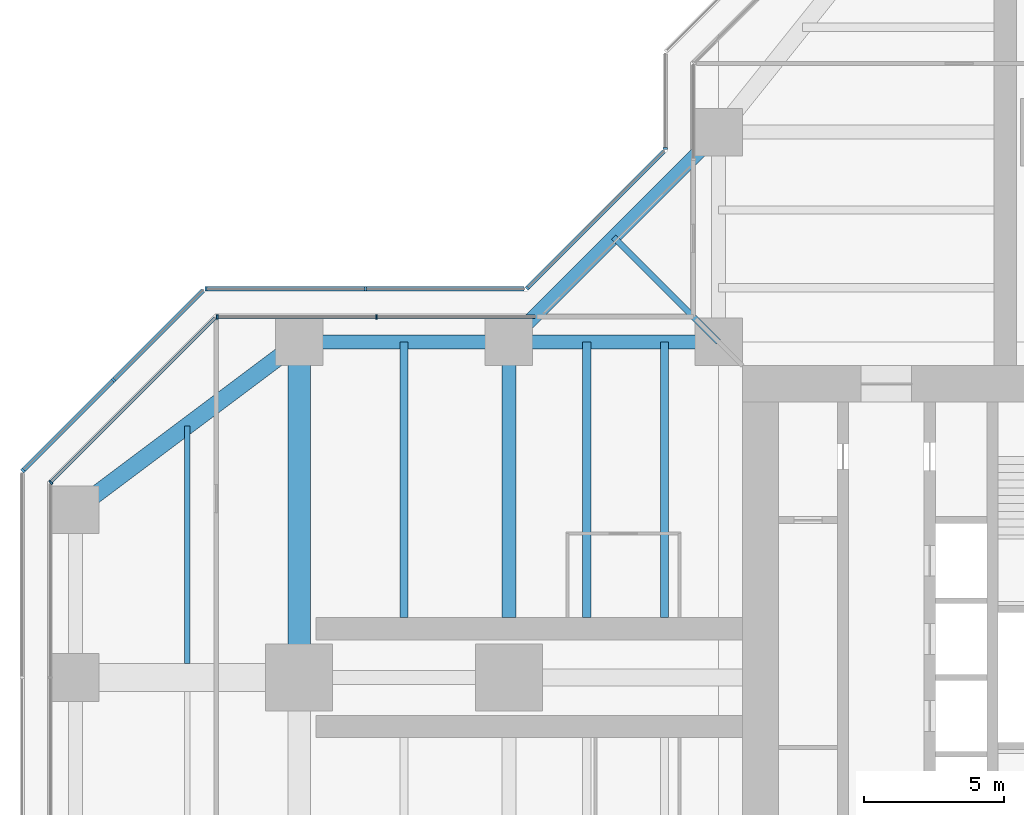
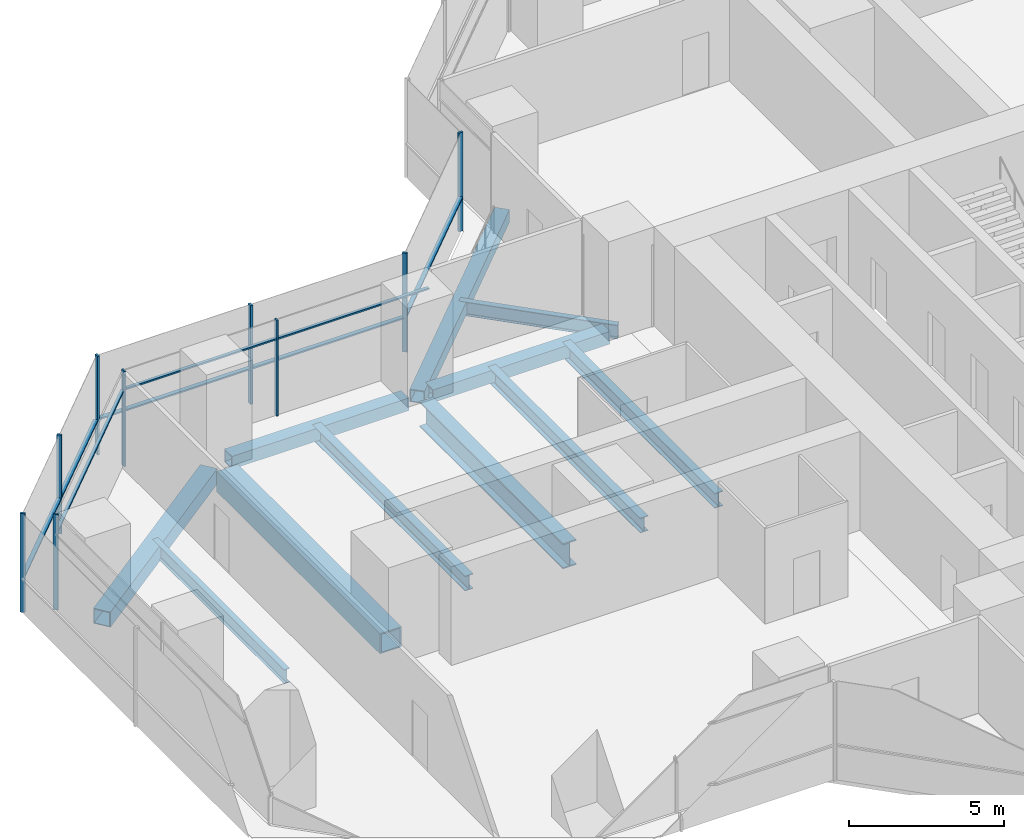
# One storey, part 7 of 19: 17 members, 11 beams, 6 elements without a shape of their own.
"""IFC4 building model written with IfcOpenShell, lengths in metres."""

from ifc_helpers import new_model, si_unit, direction, frame, origin, origin_2d, place, context, subcontext, project, spatial, rectangle, hollow_rectangle, i_section, extrude, material, material_profile, profile_set, type_object, element, aggregate, save


model = new_model("IFC4")

# Units and contexts
model_context = context("Model", 3, precision=1e-05, world=origin(), true_north=direction((0.0, 1.0)))
body_context = subcontext(model_context, "Body", "Model", "MODEL_VIEW")
ifc_project = project(units=[si_unit("LENGTHUNIT", "METRE"), si_unit("AREAUNIT", "SQUARE_METRE"), si_unit("VOLUMEUNIT", "CUBIC_METRE"), si_unit("PLANEANGLEUNIT", "RADIAN"), si_unit("MASSUNIT", "GRAM", prefix="KILO")], contexts=[model_context])

# Site, building, storey
site_placement = place(None, origin())
site = spatial("IfcSite", under=ifc_project, at=site_placement, CompositionType="ELEMENT")
building_placement = place(site_placement, origin())
building = spatial("IfcBuilding", under=site, at=building_placement, Name="Mizan Broadcast Tower", CompositionType="ELEMENT")
storey_placement = place(building_placement, frame((0.0, 0.0, 128.10009765625)))
storey = spatial("IfcBuildingStorey", under=building, at=storey_placement, Name="L28", CompositionType="ELEMENT", Elevation=128.10009765625)

# Beams
ifc_material_1 = material(Name="Steel S355", Category="steel")
ifc_material_profile_1 = material_profile(ifc_material_1, hollow_rectangle(XDim=0.5, YDim=0.5, WallThickness=0.030029296875, at=origin_2d()), Name="BOX 500x500x30")
ifc_profile_set_1 = profile_set([ifc_material_profile_1], Name="Steel S355")
beam_type_1 = type_object("IfcBeamType", Name="EDGE BEAM BOX 500x500x30", PredefinedType="SPANDREL", material=ifc_profile_set_1)
for number, where, z_axis, x_axis, name in (
    (1, (-12.449951171875, 12.0, -0.380126953125), (-1.0, 0.0, 0.0), (0.0, -1.0, 0.0), "Edge beam BOX 500x500x30 L28 west arm"),
    (2, (-19.949951171875, 12.0, -0.380126953125), (-1.0, 0.0, 0.0), (0.0, -1.0, 0.0), "Edge beam BOX 500x500x30 L28 west arm"),
):
    element("IfcBeam", number, at=place(storey_placement, frame(where, z_axis=z_axis, x_axis=x_axis)), inside=storey, type_object=beam_type_1, Name=name, PredefinedType="SPANDREL", context=body_context, shape_type="SweptSolid", body=[
        extrude(hollow_rectangle(XDim=0.5, YDim=0.5, WallThickness=0.030029296875, at=origin_2d()), origin(), (0.0, 0.0, 1.0), 6.60009765625),
    ])
beam_1_placement = place(storey_placement, frame((-12.0, 19.5, -0.380126953125), z_axis=(-0.707106781187, -0.707106781187, 0.0), x_axis=(0.707106781187, -0.707106781187, 0.0)))
element("IfcBeam", 3, at=beam_1_placement, inside=storey, type_object=beam_type_1, Name="Winter garden edge beam L28 N", PredefinedType="SPANDREL", context=body_context, shape_type="SweptSolid", body=[
    extrude(hollow_rectangle(XDim=0.5, YDim=0.5, WallThickness=0.030029296875, at=origin_2d()), origin(), (0.0, 0.0, 1.0), 10.606689453125),
])
ifc_material_2 = material(Name="Steel S355", Category="steel")
ifc_material_profile_2 = material_profile(ifc_material_2, hollow_rectangle(XDim=0.60009765625, YDim=0.60009765625, WallThickness=0.030029296875, at=origin_2d()), Name="BOX 600x600x30")
ifc_profile_set_2 = profile_set([ifc_material_profile_2], Name="Steel S355")
beam_type_2 = type_object("IfcBeamType", Name="EDGE BEAM BOX 600x600x30", PredefinedType="SPANDREL", material=ifc_profile_set_2)
beam_2_placement = place(storey_placement, frame((-27.47998046875, 11.639892578125, -0.43017578125), z_axis=(-0.800013316712, -0.599982243973, 0.0), x_axis=(0.599982243973, -0.800013316712, 0.0)))
element("IfcBeam", 4, at=beam_2_placement, inside=storey, type_object=beam_type_2, Name="Edge beam BOX 600x600x30 L28 west arm", PredefinedType="SPANDREL", context=body_context, shape_type="SweptSolid", body=[
    extrude(hollow_rectangle(XDim=0.60009765625, YDim=0.60009765625, WallThickness=0.030029296875, at=origin_2d()), origin(), (0.0, 0.0, 1.0), 8.7998046875),
])
ifc_material_3 = material(Name="Steel S460", Category="steel")
ifc_material_profile_3 = material_profile(ifc_material_3, hollow_rectangle(XDim=0.800048828125, YDim=0.800048828125, WallThickness=0.050048828125, at=origin_2d()), Name="BOX 800x800x50")
ifc_profile_set_3 = profile_set([ifc_material_profile_3], Name="Steel S460")
beam_type_3 = type_object("IfcBeamType", Name="GIRDER BOX 800x800x50", PredefinedType="BEAM", material=ifc_profile_set_3)
beam_3_placement = place(storey_placement, frame((-27.0, 11.280029296875, -0.530029296875), z_axis=(0.0, -1.0, 0.0), x_axis=(1.0, 0.0, 0.0)))
element("IfcBeam", 5, at=beam_3_placement, inside=storey, type_object=beam_type_3, Name="Girder BOX 800x800x50 L28 west arm", PredefinedType="BEAM", context=body_context, shape_type="SweptSolid", body=[
    extrude(hollow_rectangle(XDim=0.800048828125, YDim=0.800048828125, WallThickness=0.050048828125, at=origin_2d()), origin(), (0.0, 0.0, 1.0), 10.56005859375),
])
ifc_material_4 = material(Name="Steel S460", Category="steel")
ifc_material_profile_4 = material_profile(ifc_material_4, i_section(OverallWidth=0.5, OverallDepth=1.0, WebThickness=0.02490234375, FlangeThickness=0.050048828125, at=origin_2d()), Name="WPG 1000x500")
ifc_profile_set_4 = profile_set([ifc_material_profile_4], Name="Steel S460")
beam_type_4 = type_object("IfcBeamType", Name="GIRDER WPG 1000x500", PredefinedType="BEAM", material=ifc_profile_set_4)
beam_4_placement = place(storey_placement, frame((-19.5, 11.408935546875, -0.630126953125), z_axis=(0.0, -1.0, 0.0), x_axis=(1.0, 0.0, 0.0)))
element("IfcBeam", 6, at=beam_4_placement, inside=storey, type_object=beam_type_4, Name="Girder WPG 1000x500 L28 west arm", PredefinedType="BEAM", context=body_context, shape_type="SweptSolid", body=[
    extrude(i_section(OverallWidth=0.5, OverallDepth=1.0, WebThickness=0.02490234375, FlangeThickness=0.050048828125, at=origin_2d()), origin(), (0.0, 0.0, 1.0), 9.259033203125),
])

# Curtain wall, members
ifc_material_5 = material(Name="Aluminium framed glazing", Category="aluminium")
curtain_wall_type_1 = type_object("IfcCurtainWallType", Name="INNER SKIN MID ZONE", PredefinedType="USERDEFINED", material=ifc_material_5)
curtain_wall_1_placement = place(storey_placement, origin())
curtain_wall_1 = element("IfcCurtainWall", 7, at=curtain_wall_1_placement, inside=storey, type_object=curtain_wall_type_1, Name="Inner skin mid zone L28 W side", ObjectType="INNER SKIN MID ZONE", PredefinedType="USERDEFINED")
ifc_material_6 = material(Name="Aluminium, pale anodised", Category="aluminium")
ifc_material_profile_5 = material_profile(ifc_material_6, rectangle(XDim=0.159912109375, YDim=0.06005859375, at=origin_2d()), Name="MULLION 160x60")
ifc_profile_set_5 = profile_set([ifc_material_profile_5], Name="Aluminium, pale anodised")
member_type_1 = type_object("IfcMemberType", Name="INNER SKIN MULLION 60x160", PredefinedType="MULLION", material=ifc_profile_set_5)
member_1_placement = place(storey_placement, frame((-24.229248046875, 12.89990234375, 0.0), z_axis=(0.0, 0.0, 1.0), x_axis=(0.0, -1.0, 0.0)))
member_1 = element("IfcMember", 8, at=member_1_placement, type_object=member_type_1, Name="Inner skin mid zone L28 W side mullion 2", PredefinedType="MULLION", context=body_context, shape_type="SweptSolid", body=[
    extrude(rectangle(XDim=0.159912109375, YDim=0.06005859375, at=origin_2d()), origin(), (0.0, 0.0, 1.0), 3.77001953125),
])
member_2_placement = place(storey_placement, frame((-29.928466796875, 12.89990234375, 0.0), z_axis=(0.0, 0.0, 1.0), x_axis=(0.0, -1.0, 0.0)))
member_2 = element("IfcMember", 9, at=member_2_placement, type_object=member_type_1, Name="Inner skin mid zone L28 W side mullion 3", PredefinedType="MULLION", context=body_context, shape_type="SweptSolid", body=[
    extrude(rectangle(XDim=0.159912109375, YDim=0.06005859375, at=origin_2d()), origin(), (0.0, 0.0, 1.0), 3.77001953125),
])

# Curtain wall, member
curtain_wall_2_placement = place(storey_placement, origin())
curtain_wall_2 = element("IfcCurtainWall", 10, at=curtain_wall_2_placement, inside=storey, type_object=curtain_wall_type_1, Name="Inner skin mid zone L28 W chamfer", ObjectType="INNER SKIN MID ZONE", PredefinedType="USERDEFINED")
member_3_placement = place(storey_placement, frame((-35.87890625, 6.979736328125, 0.0), z_axis=(0.0, 0.0, 1.0), x_axis=(0.707106781187, -0.707106781187, 0.0)))
member_3 = element("IfcMember", 11, at=member_3_placement, type_object=member_type_1, Name="Inner skin mid zone L28 W chamfer mullion 2", PredefinedType="MULLION", context=body_context, shape_type="SweptSolid", body=[
    extrude(rectangle(XDim=0.159912109375, YDim=0.06005859375, at=origin_2d()), origin(), (0.0, 0.0, 1.0), 3.77001953125),
])

# Member
ifc_material_7 = material(Name="Aluminium, pale anodised", Category="aluminium")
ifc_material_profile_6 = material_profile(ifc_material_7, rectangle(XDim=0.1201171875, YDim=0.06005859375, at=origin_2d()), Name="TRANSOM 120x60")
ifc_profile_set_6 = profile_set([ifc_material_profile_6], Name="Aluminium, pale anodised")
member_type_2 = type_object("IfcMemberType", Name="INNER SKIN TRANSOM 60x120", PredefinedType="USERDEFINED", material=ifc_profile_set_6)
member_4_placement = place(storey_placement, frame((-18.56005859375, 12.89990234375, 3.02978515625), z_axis=(-1.0, 0.0, 0.0), x_axis=(0.0, -1.0, 0.0)))
member_4 = element("IfcMember", 12, at=member_4_placement, type_object=member_type_2, Name="Inner skin mid zone L28 W side transom 1.1", ObjectType="TRANSOM", PredefinedType="USERDEFINED", context=body_context, shape_type="SweptSolid", body=[
    extrude(rectangle(XDim=0.1201171875, YDim=0.06005859375, at=origin_2d()), origin(), (0.0, 0.0, 1.0), 5.63916015625),
])

member_5_placement = place(storey_placement, frame((-24.25927734375, 12.89990234375, 3.02978515625), z_axis=(-1.0, 0.0, 0.0), x_axis=(0.0, -1.0, 0.0)))
member_5 = element("IfcMember", 13, at=member_5_placement, type_object=member_type_2, Name="Inner skin mid zone L28 W side transom 2.1", ObjectType="TRANSOM", PredefinedType="USERDEFINED", context=body_context, shape_type="SweptSolid", body=[
    extrude(rectangle(XDim=0.1201171875, YDim=0.06005859375, at=origin_2d()), origin(), (0.0, 0.0, 1.0), 5.639404296875),
])

aggregate(curtain_wall_1, [member_1, member_2, member_4, member_5])

member_6_placement = place(storey_placement, frame((-30.0009765625, 12.857666015625, 3.02978515625), z_axis=(-0.707106781187, -0.707106781187, 0.0), x_axis=(0.707106781187, -0.707106781187, 0.0)))
member_6 = element("IfcMember", 14, at=member_6_placement, type_object=member_type_2, Name="Inner skin mid zone L28 W chamfer transom 1.1", ObjectType="TRANSOM", PredefinedType="USERDEFINED", context=body_context, shape_type="SweptSolid", body=[
    extrude(rectangle(XDim=0.1201171875, YDim=0.06005859375, at=origin_2d()), origin(), (0.0, 0.0, 1.0), 8.28271484375),
])

aggregate(curtain_wall_2, [member_3, member_6])

# Curtain wall, member
ifc_material_8 = material(Name="Aluminium framed glazing", Category="aluminium")
curtain_wall_type_2 = type_object("IfcCurtainWallType", Name="OUTER SKIN", PredefinedType="USERDEFINED", material=ifc_material_8)
curtain_wall_3_placement = place(storey_placement, origin())
curtain_wall_3 = element("IfcCurtainWall", 15, at=curtain_wall_3_placement, inside=storey, type_object=curtain_wall_type_2, Name="Outer skin L28 N side", ObjectType="OUTER SKIN", PredefinedType="USERDEFINED")
ifc_material_9 = material(Name="Aluminium, pale anodised", Category="aluminium")
ifc_material_profile_7 = material_profile(ifc_material_9, rectangle(XDim=0.159912109375, YDim=0.080078125, at=origin_2d()), Name="MULLION 160x80")
ifc_profile_set_7 = profile_set([ifc_material_profile_7], Name="Aluminium, pale anodised")
member_type_3 = type_object("IfcMemberType", Name="OUTER SKIN MULLION 80x160", PredefinedType="MULLION", material=ifc_profile_set_7)
member_7_placement = place(storey_placement, frame((-13.89990234375, 18.912841796875, 0.0), z_axis=(0.0, 0.0, 1.0), x_axis=(1.0, 0.0, 0.0)))
member_7 = element("IfcMember", 16, at=member_7_placement, type_object=member_type_3, Name="Outer skin L28 N side mullion 2", PredefinedType="MULLION", context=body_context, shape_type="SweptSolid", body=[
    extrude(rectangle(XDim=0.159912109375, YDim=0.080078125, at=origin_2d()), origin(), (0.0, 0.0, 1.0), 3.89990234375),
])
aggregate(curtain_wall_3, [member_7])

curtain_wall_4_placement = place(storey_placement, origin())
curtain_wall_4 = element("IfcCurtainWall", 17, at=curtain_wall_4_placement, inside=storey, type_object=curtain_wall_type_2, Name="Outer skin L28 W chamfer", ObjectType="OUTER SKIN", PredefinedType="USERDEFINED")
member_8_placement = place(storey_placement, frame((-18.844482421875, 13.92822265625, 0.0), z_axis=(0.0, 0.0, 1.0), x_axis=(0.707106781187, -0.707106781187, 0.0)))
member_8 = element("IfcMember", 18, at=member_8_placement, type_object=member_type_3, Name="Outer skin L28 W chamfer mullion 2", PredefinedType="MULLION", context=body_context, shape_type="SweptSolid", body=[
    extrude(rectangle(XDim=0.159912109375, YDim=0.080078125, at=origin_2d()), origin(), (0.0, 0.0, 1.0), 3.89990234375),
])

# Curtain wall, members
curtain_wall_5_placement = place(storey_placement, origin())
curtain_wall_5 = element("IfcCurtainWall", 19, at=curtain_wall_5_placement, inside=storey, type_object=curtain_wall_type_2, Name="Outer skin L28 W side", ObjectType="OUTER SKIN", PredefinedType="USERDEFINED")
member_9_placement = place(storey_placement, frame((-24.622802734375, 13.89990234375, 0.0), z_axis=(0.0, 0.0, 1.0), x_axis=(0.0, -1.0, 0.0)))
member_9 = element("IfcMember", 20, at=member_9_placement, type_object=member_type_3, Name="Outer skin L28 W side mullion 2", PredefinedType="MULLION", context=body_context, shape_type="SweptSolid", body=[
    extrude(rectangle(XDim=0.159912109375, YDim=0.080078125, at=origin_2d()), origin(), (0.0, 0.0, 1.0), 3.89990234375),
])
member_10_placement = place(storey_placement, frame((-30.332763671875, 13.89990234375, 0.0), z_axis=(0.0, 0.0, 1.0), x_axis=(0.0, -1.0, 0.0)))
member_10 = element("IfcMember", 21, at=member_10_placement, type_object=member_type_3, Name="Outer skin L28 W side mullion 3", PredefinedType="MULLION", context=body_context, shape_type="SweptSolid", body=[
    extrude(rectangle(XDim=0.159912109375, YDim=0.080078125, at=origin_2d()), origin(), (0.0, 0.0, 1.0), 3.89990234375),
])

curtain_wall_6_placement = place(storey_placement, origin())
curtain_wall_6 = element("IfcCurtainWall", 22, at=curtain_wall_6_placement, inside=storey, type_object=curtain_wall_type_2, Name="Outer skin L28 W chamfer", ObjectType="OUTER SKIN", PredefinedType="USERDEFINED")
member_11_placement = place(storey_placement, frame((-33.636474609375, 10.636474609375, 0.0), z_axis=(0.0, 0.0, 1.0), x_axis=(0.707106781187, -0.707106781187, 0.0)))
member_11 = element("IfcMember", 23, at=member_11_placement, type_object=member_type_3, Name="Outer skin L28 W chamfer mullion 2", PredefinedType="MULLION", context=body_context, shape_type="SweptSolid", body=[
    extrude(rectangle(XDim=0.159912109375, YDim=0.080078125, at=origin_2d()), origin(), (0.0, 0.0, 1.0), 3.89990234375),
])
member_12_placement = place(storey_placement, frame((-36.871826171875, 7.401123046875, 0.0), z_axis=(0.0, 0.0, 1.0), x_axis=(0.707106781187, -0.707106781187, 0.0)))
member_12 = element("IfcMember", 24, at=member_12_placement, type_object=member_type_3, Name="Outer skin L28 W chamfer mullion 3", PredefinedType="MULLION", context=body_context, shape_type="SweptSolid", body=[
    extrude(rectangle(XDim=0.159912109375, YDim=0.080078125, at=origin_2d()), origin(), (0.0, 0.0, 1.0), 3.89990234375),
])

# Member
ifc_material_10 = material(Name="Aluminium, pale anodised", Category="aluminium")
ifc_material_profile_8 = material_profile(ifc_material_10, rectangle(XDim=0.159912109375, YDim=0.06005859375, at=origin_2d()), Name="TRANSOM 160x60")
ifc_profile_set_8 = profile_set([ifc_material_profile_8], Name="Aluminium, pale anodised")
member_type_4 = type_object("IfcMemberType", Name="OUTER SKIN TRANSOM 60x160", PredefinedType="USERDEFINED", material=ifc_profile_set_8)
member_13_placement = place(storey_placement, frame((-13.95654296875, 18.816162109375, 1.39990234375), z_axis=(-0.707106781187, -0.707106781187, 0.0), x_axis=(0.707106781187, -0.707106781187, 0.0)))
member_13 = element("IfcMember", 25, at=member_13_placement, type_object=member_type_4, Name="Outer skin L28 W chamfer transom 1.1", ObjectType="TRANSOM", PredefinedType="USERDEFINED", context=body_context, shape_type="SweptSolid", body=[
    extrude(rectangle(XDim=0.159912109375, YDim=0.06005859375, at=origin_2d()), origin(), (0.0, 0.0, 1.0), 6.87255859375),
])

aggregate(curtain_wall_4, [member_8, member_13])

member_14_placement = place(storey_placement, frame((-18.952880859375, 13.89990234375, 1.39990234375), z_axis=(-1.0, 0.0, 0.0), x_axis=(0.0, -1.0, 0.0)))
member_14 = element("IfcMember", 26, at=member_14_placement, type_object=member_type_4, Name="Outer skin L28 W side transom 1.1", ObjectType="TRANSOM", PredefinedType="USERDEFINED", context=body_context, shape_type="SweptSolid", body=[
    extrude(rectangle(XDim=0.159912109375, YDim=0.06005859375, at=origin_2d()), origin(), (0.0, 0.0, 1.0), 5.6298828125),
])

member_15_placement = place(storey_placement, frame((-24.662841796875, 13.89990234375, 1.39990234375), z_axis=(-1.0, 0.0, 0.0), x_axis=(0.0, -1.0, 0.0)))
member_15 = element("IfcMember", 27, at=member_15_placement, type_object=member_type_4, Name="Outer skin L28 W side transom 2.1", ObjectType="TRANSOM", PredefinedType="USERDEFINED", context=body_context, shape_type="SweptSolid", body=[
    extrude(rectangle(XDim=0.159912109375, YDim=0.06005859375, at=origin_2d()), origin(), (0.0, 0.0, 1.0), 5.6298828125),
])

aggregate(curtain_wall_5, [member_9, member_10, member_14, member_15])

member_16_placement = place(storey_placement, frame((-30.429443359375, 13.843505859375, 1.39990234375), z_axis=(-0.707106781187, -0.707106781187, 0.0), x_axis=(0.707106781187, -0.707106781187, 0.0)))
member_16 = element("IfcMember", 28, at=member_16_placement, type_object=member_type_4, Name="Outer skin L28 W chamfer transom 1.1", ObjectType="TRANSOM", PredefinedType="USERDEFINED", context=body_context, shape_type="SweptSolid", body=[
    extrude(rectangle(XDim=0.159912109375, YDim=0.06005859375, at=origin_2d()), origin(), (0.0, 0.0, 1.0), 4.495361328125),
])

member_17_placement = place(storey_placement, frame((-33.664794921875, 10.608154296875, 1.39990234375), z_axis=(-0.707106781187, -0.707106781187, 0.0), x_axis=(0.707106781187, -0.707106781187, 0.0)))
member_17 = element("IfcMember", 29, at=member_17_placement, type_object=member_type_4, Name="Outer skin L28 W chamfer transom 2.1", ObjectType="TRANSOM", PredefinedType="USERDEFINED", context=body_context, shape_type="SweptSolid", body=[
    extrude(rectangle(XDim=0.159912109375, YDim=0.06005859375, at=origin_2d()), origin(), (0.0, 0.0, 1.0), 4.495361328125),
])

aggregate(curtain_wall_6, [member_11, member_12, member_16, member_17])

# Beams
ifc_material_11 = material(Name="Steel S355", Category="steel")
ifc_material_profile_9 = material_profile(ifc_material_11, i_section(OverallWidth=0.300048828125, OverallDepth=0.590087890625, WebThickness=0.012939453125, FlangeThickness=0.02490234375, FilletRadius=0.027099609375, at=origin_2d()), Name="HEA 600")
ifc_profile_set_9 = profile_set([ifc_material_profile_9], Name="Steel S355")
beam_type_5 = type_object("IfcBeamType", Name="SECONDARY BEAM HEA 600", PredefinedType="JOIST", material=ifc_profile_set_9)
for number, where, z_axis, x_axis, name in (
    (30, (-13.933349609375, 12.0, -0.425048828125), (0.0, -1.0, 0.0), (1.0, 0.0, 0.0), "Secondary beam HEA 600 L28 west arm"),
    (31, (-16.716552734375, 12.0, -0.425048828125), (0.0, -1.0, 0.0), (1.0, 0.0, 0.0), "Secondary beam HEA 600 L28 west arm"),
    (32, (-23.25, 12.0, -0.425048828125), (0.0, -1.0, 0.0), (1.0, 0.0, 0.0), "Secondary beam HEA 600 L28 west arm"),
):
    element("IfcBeam", number, at=place(storey_placement, frame(where, z_axis=z_axis, x_axis=x_axis)), inside=storey, type_object=beam_type_5, Name=name, PredefinedType="JOIST", context=body_context, shape_type="SweptSolid", body=[
        extrude(i_section(OverallWidth=0.300048828125, OverallDepth=0.590087890625, WebThickness=0.012939453125, FlangeThickness=0.02490234375, FilletRadius=0.027099609375, at=origin_2d()), origin(), (0.0, 0.0, 1.0), 9.85009765625),
    ])
ifc_material_12 = material(Name="Steel S355", Category="steel")
ifc_material_profile_10 = material_profile(ifc_material_12, i_section(OverallWidth=0.2099609375, OverallDepth=0.550048828125, WebThickness=0.010986328125, FlangeThickness=0.01708984375, FilletRadius=0.02392578125, at=origin_2d()), Name="IPE 550")
ifc_profile_set_10 = profile_set([ifc_material_profile_10], Name="Steel S355")
beam_type_6 = type_object("IfcBeamType", Name="SECONDARY BEAM IPE 550", PredefinedType="JOIST", material=ifc_profile_set_10)
beam_5_placement = place(storey_placement, frame((-31.0, 9.0, -0.405029296875), z_axis=(0.0, -1.0, 0.0), x_axis=(1.0, 0.0, 0.0)))
element("IfcBeam", 33, at=beam_5_placement, inside=storey, type_object=beam_type_6, Name="Secondary beam IPE 550 L28 west arm", PredefinedType="JOIST", context=body_context, shape_type="SweptSolid", body=[
    extrude(i_section(OverallWidth=0.2099609375, OverallDepth=0.550048828125, WebThickness=0.010986328125, FlangeThickness=0.01708984375, FilletRadius=0.02392578125, at=origin_2d()), origin(), (0.0, 0.0, 1.0), 8.5),
])
beam_6_placement = place(storey_placement, frame((-12.0, 12.0, -0.405029296875), z_axis=(-0.707106781187, 0.707106781187, 0.0), x_axis=(-0.707106781187, -0.707106781187, 0.0)))
element("IfcBeam", 34, at=beam_6_placement, inside=storey, type_object=beam_type_6, Name="Winter garden beam L28 N", PredefinedType="JOIST", context=body_context, shape_type="SweptSolid", body=[
    extrude(i_section(OverallWidth=0.2099609375, OverallDepth=0.550048828125, WebThickness=0.010986328125, FlangeThickness=0.01708984375, FilletRadius=0.02392578125, at=origin_2d()), origin(), (0.0, 0.0, 1.0), 5.30322265625),
])

save(model, "model.ifc")
